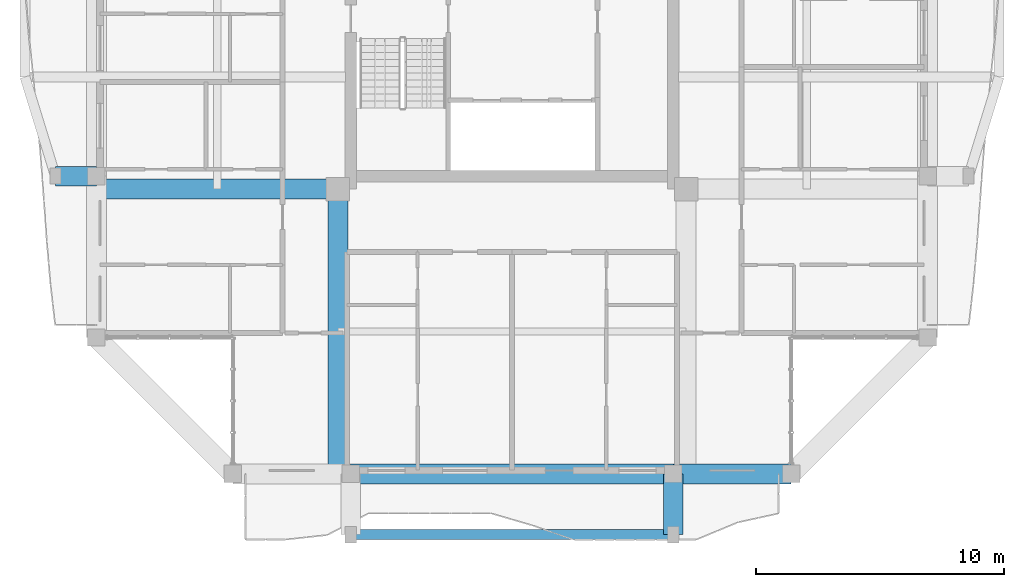
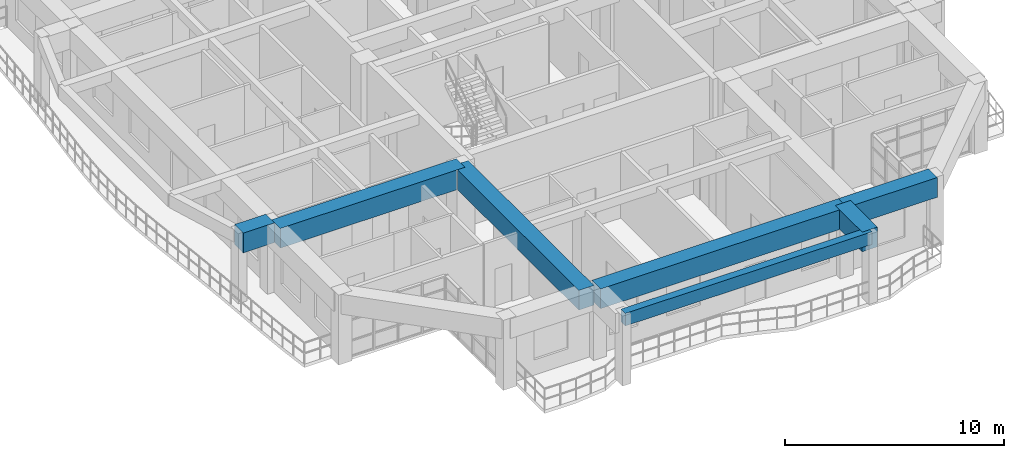
# One storey, part 3 of 27: 7 beams.
"""IFC4 building model written with IfcOpenShell, lengths in metres."""

from ifc_helpers import new_model, si_unit, direction, frame, origin, origin_2d, place, context, subcontext, project, spatial, rectangle, extrude, source, transform, mapped, material, material_profile, profile_set, type_object, element, save


model = new_model("IFC4")

# Units and contexts
model_context = context("Model", 3, precision=1e-05, world=origin(), true_north=direction((0.0, 1.0)))
body_context = subcontext(model_context, "Body", "Model", "MODEL_VIEW")
ifc_project = project(units=[si_unit("LENGTHUNIT", "METRE"), si_unit("AREAUNIT", "SQUARE_METRE"), si_unit("VOLUMEUNIT", "CUBIC_METRE"), si_unit("PLANEANGLEUNIT", "RADIAN"), si_unit("MASSUNIT", "GRAM", prefix="KILO")], contexts=[model_context])

# Site, building, storey
site_placement = place(None, origin())
site = spatial("IfcSite", under=ifc_project, at=site_placement, CompositionType="ELEMENT")
building_placement = place(site_placement, origin())
building = spatial("IfcBuilding", under=site, at=building_placement, Name="Saelheon Loggia Tower", CompositionType="ELEMENT")
storey_placement = place(building_placement, frame((0.0, 0.0, 226.199951171875)))
storey = spatial("IfcBuildingStorey", under=building, at=storey_placement, Name="L70", CompositionType="ELEMENT", Elevation=226.199951171875)

# Beams
ifc_material_1 = material(Name="Concrete C50/60", Category="concrete")
ifc_material_profile_1 = material_profile(ifc_material_1, rectangle(XDim=0.800048828125, YDim=1.10009765625, at=origin_2d()), Name="RC-800x1100")
ifc_profile_set_1 = profile_set([ifc_material_profile_1], Name="Concrete C50/60")
beam_type_1 = type_object("IfcBeamType", Name="Beam_PerimSetback_RC800x1100", PredefinedType="BEAM", material=ifc_profile_set_1)
shared_shape_1 = source(origin(), body_context, "Body", "SweptSolid", [
    extrude(rectangle(XDim=0.800048828125, YDim=1.10009765625, at=origin_2d()), origin(), (0.0, 0.0, 1.0), 13.0),
])
beam_1_placement = place(storey_placement, frame((31.5, 6.0, 3.35009765625), z_axis=(1.0, 0.0, 0.0), x_axis=(0.0, 1.0, 0.0)))
element("IfcBeam", 1, at=beam_1_placement, inside=storey, type_object=beam_type_1, Name="L70 Perimeter Frame Girder 02", PredefinedType="BEAM", context=body_context, shape_type="MappedRepresentation", body=[
    mapped(shared_shape_1, transform((0.0, 0.0, 0.0), scale=1.0)),
])
ifc_material_profile_2 = material_profile(ifc_material_1, rectangle(XDim=0.800048828125, YDim=1.10009765625, at=origin_2d()), Name="RC-800x1100")
ifc_profile_set_2 = profile_set([ifc_material_profile_2], Name="Concrete C50/60")
beam_type_2 = type_object("IfcBeamType", Name="Beam_SetbackTransfer_RC800x1100", PredefinedType="BEAM", material=ifc_profile_set_2)
shared_shape_2 = source(origin(), body_context, "Body", "SweptSolid", [
    extrude(rectangle(XDim=0.800048828125, YDim=1.10009765625, at=origin_2d()), origin(), (0.0, 0.0, 1.0), 11.47998046875),
])
beam_2_placement = place(storey_placement, frame((30.97998046875, 17.47998046875, 3.35009765625), z_axis=(0.0, -1.0, 0.0), x_axis=(1.0, 0.0, 0.0)))
element("IfcBeam", 2, at=beam_2_placement, inside=storey, type_object=beam_type_2, Name="L70 Radial Floor Girder RAD-SW-S", PredefinedType="BEAM", context=body_context, shape_type="MappedRepresentation", body=[
    mapped(shared_shape_2, transform((0.0, 0.0, 0.0), scale=1.0)),
])
shared_shape_3 = source(origin(), body_context, "Body", "SweptSolid", [
    extrude(rectangle(XDim=0.800048828125, YDim=1.10009765625, at=origin_2d()), origin(), (0.0, 0.0, 1.0), 2.449951171875),
])
beam_3_placement = place(storey_placement, frame((44.5, 6.0, 3.35009765625), z_axis=(0.0, -1.0, 0.0), x_axis=(1.0, 0.0, 0.0)))
element("IfcBeam", 3, at=beam_3_placement, inside=storey, type_object=beam_type_1, Name="L70 Loggia Frame Tie Beam LP-S2", PredefinedType="BEAM", context=body_context, shape_type="MappedRepresentation", body=[
    mapped(shared_shape_3, transform((0.0, 0.0, 0.0), scale=1.0)),
])
shared_shape_4 = source(origin(), body_context, "Body", "SweptSolid", [
    extrude(rectangle(XDim=0.800048828125, YDim=1.10009765625, at=origin_2d()), origin(), (0.0, 0.0, 1.0), 1.64990234375),
])
beam_4_placement = place(storey_placement, frame((21.25, 18.0, 3.35009765625), z_axis=(-1.0, 0.0, 0.0), x_axis=(0.0, -1.0, 0.0)))
element("IfcBeam", 4, at=beam_4_placement, inside=storey, type_object=beam_type_1, Name="L70 Loggia Frame Tie Beam LP-W1", PredefinedType="BEAM", context=body_context, shape_type="MappedRepresentation", body=[
    mapped(shared_shape_4, transform((0.0, 0.0, 0.0), scale=1.0)),
])
ifc_material_2 = material(Name="Precast Concrete C45/55", Category="concrete")
ifc_material_profile_3 = material_profile(ifc_material_2, rectangle(XDim=0.39990234375, YDim=0.699951171875, at=origin_2d()), Name="RC-400x700")
ifc_profile_set_3 = profile_set([ifc_material_profile_3], Name="Precast Concrete C45/55")
beam_type_3 = type_object("IfcBeamType", Name="Beam_LoggiaSpandrel_RC400x700", PredefinedType="SPANDREL", material=ifc_profile_set_3)
shared_shape_5 = source(origin(), body_context, "Body", "SweptSolid", [
    extrude(rectangle(XDim=0.39990234375, YDim=0.699951171875, at=origin_2d()), origin(), (0.0, 0.0, 1.0), 13.0),
])
beam_5_placement = place(storey_placement, frame((31.5, 3.550048828125, 3.550048828125), z_axis=(1.0, 0.0, 0.0), x_axis=(0.0, 1.0, 0.0)))
element("IfcBeam", 5, at=beam_5_placement, inside=storey, type_object=beam_type_3, Name="L70 Loggia Spandrel Beam S", PredefinedType="SPANDREL", context=body_context, shape_type="MappedRepresentation", body=[
    mapped(shared_shape_5, transform((0.0, 0.0, 0.0), scale=1.0)),
])
shared_shape_6 = source(origin(), body_context, "Body", "SweptSolid", [
    extrude(rectangle(XDim=0.800048828125, YDim=1.10009765625, at=origin_2d()), origin(), (0.0, 0.0, 1.0), 4.75),
])
beam_6_placement = place(storey_placement, frame((44.5, 6.0, 3.35009765625), z_axis=(1.0, 0.0, 0.0), x_axis=(0.0, 1.0, 0.0)))
element("IfcBeam", 6, at=beam_6_placement, inside=storey, type_object=beam_type_1, Name="L70 Perimeter Frame Girder 03", PredefinedType="BEAM", context=body_context, shape_type="MappedRepresentation", body=[
    mapped(shared_shape_6, transform((0.0, 0.0, 0.0), scale=1.0)),
])
shared_shape_7 = source(origin(), body_context, "Body", "SweptSolid", [
    extrude(rectangle(XDim=0.800048828125, YDim=1.10009765625, at=origin_2d()), origin(), (0.0, 0.0, 1.0), 9.72998046875),
])
beam_7_placement = place(storey_placement, frame((30.97998046875, 17.47998046875, 3.35009765625), z_axis=(-1.0, 0.0, 0.0), x_axis=(0.0, -1.0, 0.0)))
element("IfcBeam", 7, at=beam_7_placement, inside=storey, type_object=beam_type_2, Name="L70 Radial Floor Girder RAD-SW-W", PredefinedType="BEAM", context=body_context, shape_type="MappedRepresentation", body=[
    mapped(shared_shape_7, transform((0.0, 0.0, 0.0), scale=1.0)),
])

save(model, "model.ifc")
